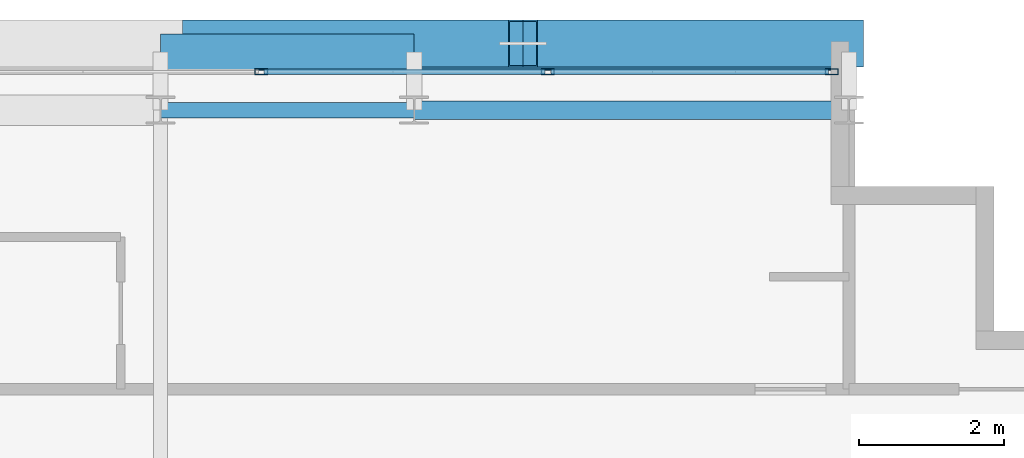
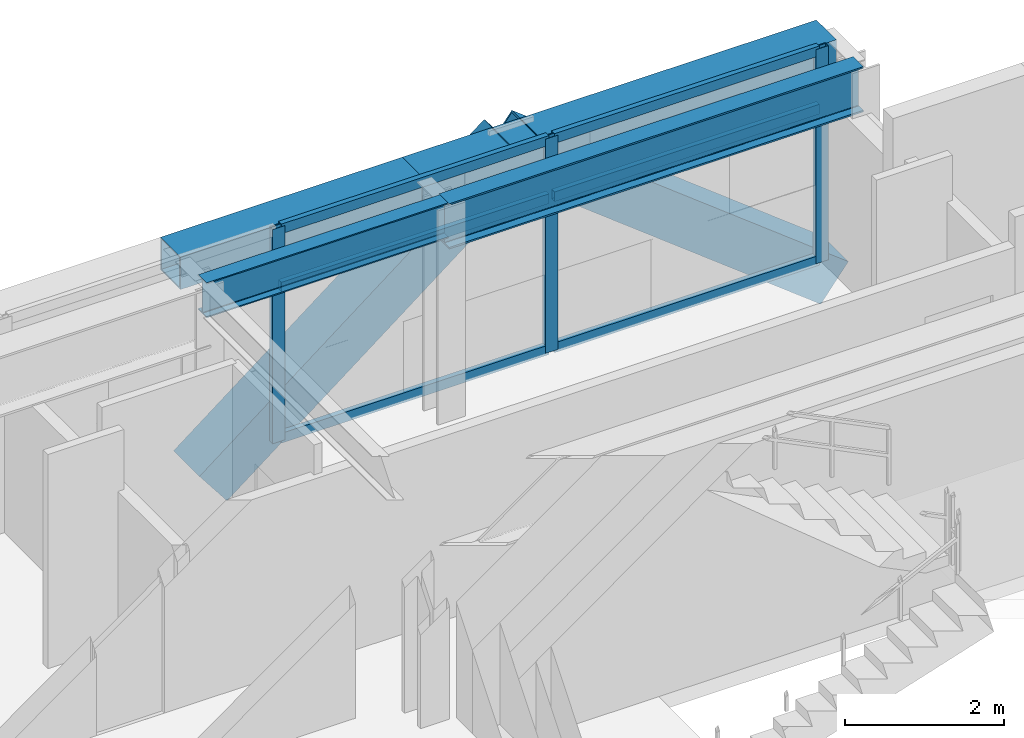
# One storey, part 16 of 28: 11 members, 4 beams, 1 element without a shape of its own.
"""IFC4 building model written with IfcOpenShell, lengths in metres."""

from ifc_helpers import new_model, si_unit, direction, frame, origin, origin_2d, place, context, subcontext, project, spatial, hollow_rectangle, i_section, extrude, source, transform, mapped, material, layer, layer_set, material_profile, profile_set, type_object, element, aggregate, save


model = new_model("IFC4")

# Units and contexts
model_context = context("Model", 3, precision=1e-05, world=origin(), true_north=direction((0.0, 1.0)))
body_context = subcontext(model_context, "Body", "Model", "MODEL_VIEW")
ifc_project = project(units=[si_unit("LENGTHUNIT", "METRE"), si_unit("AREAUNIT", "SQUARE_METRE"), si_unit("VOLUMEUNIT", "CUBIC_METRE"), si_unit("PLANEANGLEUNIT", "RADIAN"), si_unit("MASSUNIT", "GRAM", prefix="KILO")], contexts=[model_context])

# Site, building, storey
site_placement = place(None, origin())
site = spatial("IfcSite", under=ifc_project, at=site_placement, CompositionType="ELEMENT")
building_placement = place(site_placement, origin())
building = spatial("IfcBuilding", under=site, at=building_placement, Name="Ocotamira Hotel", CompositionType="ELEMENT")
storey_placement = place(building_placement, frame((0.0, 0.0, 243.60009765625)))
storey = spatial("IfcBuildingStorey", under=building, at=storey_placement, Name="L61", CompositionType="ELEMENT", Elevation=243.60009765625)

# Beams
ifc_material_1 = material(Name="Steel ASTM A992 Grade 50", Category="steel")
ifc_material_profile_1 = material_profile(ifc_material_1, i_section(OverallWidth=0.256103515625, OverallDepth=0.693115234375, WebThickness=0.014404296875, FlangeThickness=0.023681640625, FilletRadius=0.01611328125, at=origin_2d()), Name="W27X114")
ifc_profile_set_1 = profile_set([ifc_material_profile_1], Name="Steel ASTM A992 Grade 50")
beam_type_1 = type_object("IfcBeamType", Name="BM-PRIM-W27X114", PredefinedType="BEAM", material=ifc_profile_set_1)
shared_shape_1 = source(origin(), body_context, "Body", "SweptSolid", [
    extrude(i_section(OverallWidth=0.256103515625, OverallDepth=0.693115234375, WebThickness=0.014404296875, FlangeThickness=0.023681640625, FilletRadius=0.01611328125, at=origin_2d()), origin(), (0.0, 0.0, 1.0), 6.0),
])
beam_1_placement = place(storey_placement, frame((44.0, 43.050048828125, 2.933349609375), z_axis=(1.0, 0.0, 0.0), x_axis=(0.0, 1.0, 0.0)))
element("IfcBeam", 1, at=beam_1_placement, inside=storey, type_object=beam_type_1, Name="L61 Girder Y43.05 X44-50", PredefinedType="BEAM", context=body_context, shape_type="MappedRepresentation", body=[
    mapped(shared_shape_1, transform((0.0, 0.0, 0.0), scale=1.0)),
])
ifc_material_profile_2 = material_profile(ifc_material_1, i_section(OverallWidth=0.2099609375, OverallDepth=0.537109375, WebThickness=0.010986328125, FlangeThickness=0.017333984375, FilletRadius=0.012939453125, at=origin_2d()), Name="W21X68")
ifc_profile_set_2 = profile_set([ifc_material_profile_2], Name="Steel ASTM A992 Grade 50")
beam_type_2 = type_object("IfcBeamType", Name="BM-SEC-W21X68", PredefinedType="JOIST", material=ifc_profile_set_2)
shared_shape_2 = source(origin(), body_context, "Body", "SweptSolid", [
    extrude(i_section(OverallWidth=0.2099609375, OverallDepth=0.537109375, WebThickness=0.010986328125, FlangeThickness=0.017333984375, FilletRadius=0.012939453125, at=origin_2d()), origin(), (0.0, 0.0, 1.0), 3.5),
])
beam_2_placement = place(storey_placement, frame((40.5, 43.050048828125, 3.011474609375), z_axis=(1.0, 0.0, 0.0), x_axis=(0.0, 1.0, 0.0)))
element("IfcBeam", 2, at=beam_2_placement, inside=storey, type_object=beam_type_2, Name="L61 Girder Y43.05 X40.5-44", PredefinedType="JOIST", context=body_context, shape_type="MappedRepresentation", body=[
    mapped(shared_shape_2, transform((0.0, 0.0, 0.0), scale=1.0)),
])
ifc_material_2 = material(Name="Steel ASTM A500 Grade C", Category="steel")
ifc_material_profile_3 = material_profile(ifc_material_2, hollow_rectangle(XDim=0.5, YDim=0.5, WallThickness=0.02001953125, at=origin_2d()), Name="HSS500X500X20")
ifc_profile_set_3 = profile_set([ifc_material_profile_3], Name="Steel ASTM A500 Grade C")
beam_type_3 = type_object("IfcBeamType", Name="BM-SPAN-HSS500", PredefinedType="USERDEFINED", material=ifc_profile_set_3)
shared_shape_3 = source(origin(), body_context, "Body", "SweptSolid", [
    extrude(hollow_rectangle(XDim=0.5, YDim=0.5, WallThickness=0.02001953125, at=origin_2d()), origin(), (0.0, 0.0, 1.0), 6.0),
])
beam_3_placement = place(storey_placement, frame((44.0, 43.85009765625, 3.02978515625), z_axis=(1.0, 0.0, 0.0), x_axis=(0.0, 1.0, 0.0)))
element("IfcBeam", 3, at=beam_3_placement, inside=storey, type_object=beam_type_3, Name="L61 Edge Spandrel N X44-50", ObjectType="SPANDREL", PredefinedType="USERDEFINED", context=body_context, shape_type="MappedRepresentation", body=[
    mapped(shared_shape_3, transform((0.0, 0.0, 0.0), scale=1.0)),
])
shared_shape_4 = source(origin(), body_context, "Body", "SweptSolid", [
    extrude(hollow_rectangle(XDim=0.5, YDim=0.5, WallThickness=0.02001953125, at=origin_2d()), origin(), (0.0, 0.0, 1.0), 3.5),
])
beam_4_placement = place(storey_placement, frame((40.5, 43.85009765625, 3.02978515625), z_axis=(1.0, 0.0, 0.0), x_axis=(0.0, 1.0, 0.0)))
element("IfcBeam", 4, at=beam_4_placement, inside=storey, type_object=beam_type_3, Name="L61 Edge Spandrel N X40.5-44", ObjectType="SPANDREL", PredefinedType="USERDEFINED", context=body_context, shape_type="MappedRepresentation", body=[
    mapped(shared_shape_4, transform((0.0, 0.0, 0.0), scale=1.0)),
])

# Members
ifc_material_3 = material(Name="Pale-metal coated steel ASTM A913 Grade 65", Category="steel")
ifc_material_profile_4 = material_profile(ifc_material_3, hollow_rectangle(XDim=0.64990234375, YDim=0.64990234375, WallThickness=0.02197265625, at=origin_2d()), Name="BOX650X650X22")
ifc_profile_set_4 = profile_set([ifc_material_profile_4], Name="Pale-metal coated steel ASTM A913 Grade 65")
member_type_1 = type_object("IfcMemberType", Name="MEM-EXO-BOX650", PredefinedType="BRACE", material=ifc_profile_set_4)
shared_shape_5 = source(origin(), body_context, "Body", "SweptSolid", [
    extrude(hollow_rectangle(XDim=0.64990234375, YDim=0.64990234375, WallThickness=0.02197265625, at=origin_2d()), origin(), (0.0, 0.0, 1.0), 5.700927734375),
])
for number, where, z_axis, x_axis, name in (
    (5, (41.0, 43.969970703125, -0.47021484375), (0.789352217376, 0.0, 0.613940613515), (0.0, 1.0, 0.0), "L61 Exoskeleton Diagrid N3.1"),
    (6, (50.0, 43.969970703125, -0.47021484375), (-0.789352217376, 0.0, 0.613940613515), (0.0, -1.0, 0.0), "L61 Exoskeleton Diagrid N3.2"),
):
    element("IfcMember", number, at=place(storey_placement, frame(where, z_axis=z_axis, x_axis=x_axis)), inside=storey, type_object=member_type_1, Name=name, PredefinedType="BRACE", context=body_context, shape_type="MappedRepresentation", body=[
        mapped(shared_shape_5, transform((0.0, 0.0, 0.0), scale=1.0)),
    ])

# Curtain wall, members
ifc_material_4 = material(Name="Anodised pale-metal aluminium and solar glass", Category="aluminium")
ifc_layer = layer(ifc_material_4, 0.239990234375)
ifc_layer_set = layer_set([ifc_layer], Name="Anodised pale-metal aluminium and solar glass")
curtain_wall_type = type_object("IfcCurtainWallType", Name="CW-SYS5-SKY", PredefinedType="NOTDEFINED", material=ifc_layer_set)
curtain_wall_placement = place(storey_placement, origin())
curtain_wall = element("IfcCurtainWall", 7, at=curtain_wall_placement, inside=storey, type_object=curtain_wall_type, Name="L61 Curtain Wall CW-5 CW-L61-N", PredefinedType="NOTDEFINED")
ifc_material_5 = material(Name="Anodised pale-metal aluminium 6063-T6", Category="aluminium")
ifc_material_profile_5 = material_profile(ifc_material_5, hollow_rectangle(XDim=0.074951171875, YDim=0.14990234375, WallThickness=0.006103515625, at=origin_2d()), Name="HSS150X75X6")
ifc_profile_set_5 = profile_set([ifc_material_profile_5], Name="Anodised pale-metal aluminium 6063-T6")
member_type_2 = type_object("IfcMemberType", Name="CWT-150X75", PredefinedType="USERDEFINED", material=ifc_profile_set_5)
shared_shape_6 = source(origin(), body_context, "Body", "SweptSolid", [
    extrude(hollow_rectangle(XDim=0.074951171875, YDim=0.14990234375, WallThickness=0.006103515625, at=origin_2d()), origin(), (0.0, 0.0, 1.0), 3.83544921875),
])
member_1_placement = place(storey_placement, frame((45.884521484375, 43.580078125, 0.037353515625), z_axis=(1.0, 0.0, 0.0), x_axis=(0.0, 1.0, 0.0)))
member_1 = element("IfcMember", 8, at=member_1_placement, type_object=member_type_2, Name="CW-5 transom 9.1", ObjectType="TRANSOM", PredefinedType="USERDEFINED", context=body_context, shape_type="MappedRepresentation", body=[
    mapped(shared_shape_6, transform((0.0, 0.0, 0.0), scale=1.0)),
])
member_2_placement = place(storey_placement, frame((45.884521484375, 43.580078125, 2.349853515625), z_axis=(1.0, 0.0, 0.0), x_axis=(0.0, 1.0, 0.0)))
member_2 = element("IfcMember", 9, at=member_2_placement, type_object=member_type_2, Name="CW-5 transom 9.2", ObjectType="TRANSOM", PredefinedType="USERDEFINED", context=body_context, shape_type="MappedRepresentation", body=[
    mapped(shared_shape_6, transform((0.0, 0.0, 0.0), scale=1.0)),
])
member_3_placement = place(storey_placement, frame((45.884521484375, 43.580078125, 3.242431640625), z_axis=(1.0, 0.0, 0.0), x_axis=(0.0, 1.0, 0.0)))
member_3 = element("IfcMember", 10, at=member_3_placement, type_object=member_type_2, Name="CW-5 transom 9.3", ObjectType="TRANSOM", PredefinedType="USERDEFINED", context=body_context, shape_type="MappedRepresentation", body=[
    mapped(shared_shape_6, transform((0.0, 0.0, 0.0), scale=1.0)),
])
shared_shape_7 = source(origin(), body_context, "Body", "SweptSolid", [
    extrude(hollow_rectangle(XDim=0.074951171875, YDim=0.14990234375, WallThickness=0.006103515625, at=origin_2d()), origin(), (0.0, 0.0, 1.0), 3.87548828125),
])
member_4_placement = place(storey_placement, frame((41.928955078125, 43.580078125, 0.037353515625), z_axis=(1.0, 0.0, 0.0), x_axis=(0.0, 1.0, 0.0)))
member_4 = element("IfcMember", 11, at=member_4_placement, type_object=member_type_2, Name="CW-5 transom 8.1", ObjectType="TRANSOM", PredefinedType="USERDEFINED", context=body_context, shape_type="MappedRepresentation", body=[
    mapped(shared_shape_7, transform((0.0, 0.0, 0.0), scale=1.0)),
])
member_5_placement = place(storey_placement, frame((41.928955078125, 43.580078125, 2.349853515625), z_axis=(1.0, 0.0, 0.0), x_axis=(0.0, 1.0, 0.0)))
member_5 = element("IfcMember", 12, at=member_5_placement, type_object=member_type_2, Name="CW-5 transom 8.2", ObjectType="TRANSOM", PredefinedType="USERDEFINED", context=body_context, shape_type="MappedRepresentation", body=[
    mapped(shared_shape_7, transform((0.0, 0.0, 0.0), scale=1.0)),
])
member_6_placement = place(storey_placement, frame((41.928955078125, 43.580078125, 3.242431640625), z_axis=(1.0, 0.0, 0.0), x_axis=(0.0, 1.0, 0.0)))
member_6 = element("IfcMember", 13, at=member_6_placement, type_object=member_type_2, Name="CW-5 transom 8.3", ObjectType="TRANSOM", PredefinedType="USERDEFINED", context=body_context, shape_type="MappedRepresentation", body=[
    mapped(shared_shape_7, transform((0.0, 0.0, 0.0), scale=1.0)),
])
ifc_material_profile_6 = material_profile(ifc_material_5, hollow_rectangle(XDim=0.080078125, YDim=0.179931640625, WallThickness=0.006103515625, at=origin_2d()), Name="HSS180X80X6")
ifc_profile_set_6 = profile_set([ifc_material_profile_6], Name="Anodised pale-metal aluminium 6063-T6")
member_type_3 = type_object("IfcMemberType", Name="CWM-180X75", PredefinedType="MULLION", material=ifc_profile_set_6)
shared_shape_8 = source(origin(), body_context, "Body", "SweptSolid", [
    extrude(hollow_rectangle(XDim=0.080078125, YDim=0.179931640625, WallThickness=0.006103515625, at=origin_2d()), origin(), (0.0, 0.0, 1.0), 3.27978515625),
])
member_7_placement = place(storey_placement, frame((41.888916015625, 43.580078125, 0.0), z_axis=(0.0, 0.0, 1.0), x_axis=(0.0, 1.0, 0.0)))
member_7 = element("IfcMember", 14, at=member_7_placement, type_object=member_type_3, Name="CW-5 mullion 8", PredefinedType="MULLION", context=body_context, shape_type="MappedRepresentation", body=[
    mapped(shared_shape_8, transform((0.0, 0.0, 0.0), scale=1.0)),
])
member_8_placement = place(storey_placement, frame((45.844482421875, 43.580078125, 0.0), z_axis=(0.0, 0.0, 1.0), x_axis=(0.0, 1.0, 0.0)))
member_8 = element("IfcMember", 15, at=member_8_placement, type_object=member_type_3, Name="CW-5 mullion 9", PredefinedType="MULLION", context=body_context, shape_type="MappedRepresentation", body=[
    mapped(shared_shape_8, transform((0.0, 0.0, 0.0), scale=1.0)),
])
member_9_placement = place(storey_placement, frame((49.760009765625, 43.580078125, 0.0), z_axis=(0.0, 0.0, 1.0), x_axis=(0.0, 1.0, 0.0)))
member_9 = element("IfcMember", 16, at=member_9_placement, type_object=member_type_3, Name="CW-5 mullion 10", PredefinedType="MULLION", context=body_context, shape_type="MappedRepresentation", body=[
    mapped(shared_shape_8, transform((0.0, 0.0, 0.0), scale=1.0)),
])
aggregate(curtain_wall, [member_7, member_8, member_9, member_4, member_5, member_6, member_1, member_2, member_3])

save(model, "model.ifc")
